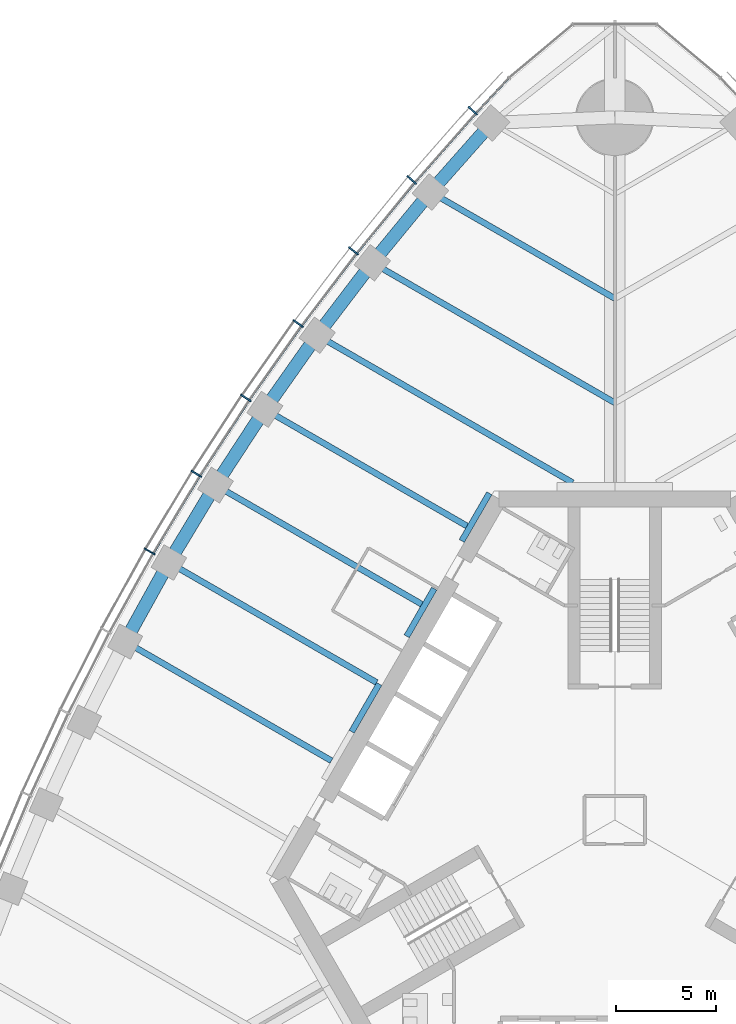
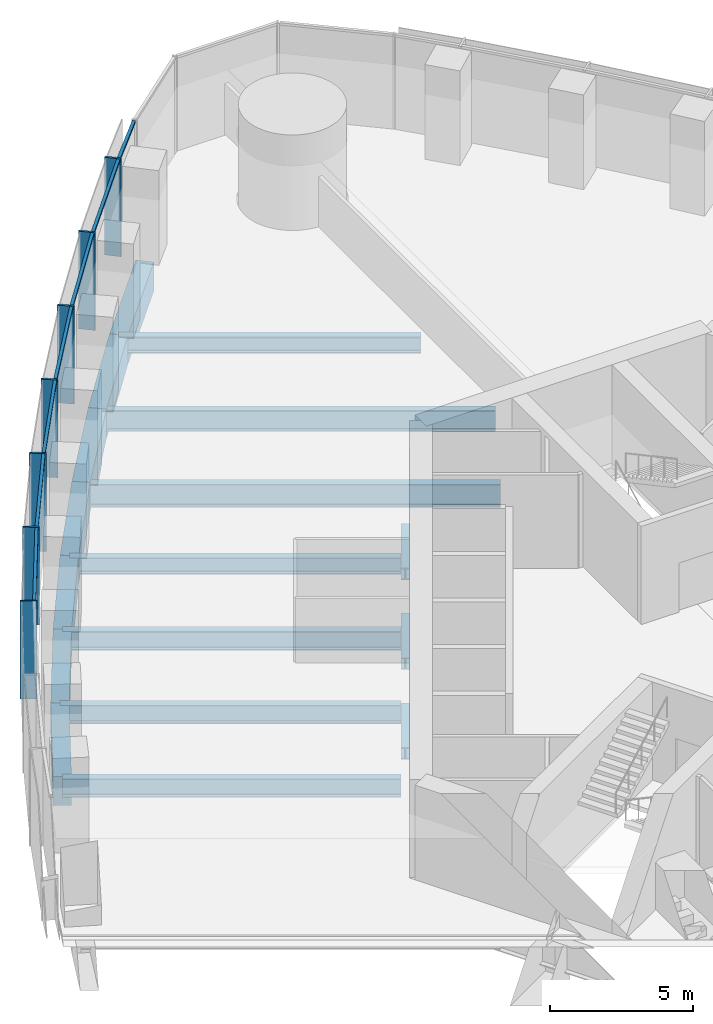
# One storey, part 4 of 19: 17 beams, 14 members, 1 element without a shape of its own.
"""IFC4 building model written with IfcOpenShell, lengths in metres."""

from ifc_helpers import new_model, si_unit, direction, frame, origin, origin_2d, place, context, subcontext, project, spatial, rectangle, i_section, extrude, material, material_profile, profile_set, type_object, element, aggregate, save


model = new_model("IFC4")

# Units and contexts
model_context = context("Model", 3, precision=1e-05, world=origin(), true_north=direction((0.0, 1.0)))
body_context = subcontext(model_context, "Body", "Model", "MODEL_VIEW")
ifc_project = project(units=[si_unit("LENGTHUNIT", "METRE"), si_unit("AREAUNIT", "SQUARE_METRE"), si_unit("VOLUMEUNIT", "CUBIC_METRE"), si_unit("PLANEANGLEUNIT", "RADIAN"), si_unit("MASSUNIT", "GRAM", prefix="KILO")], contexts=[model_context])

# Site, building, storey
site_placement = place(None, origin())
site = spatial("IfcSite", under=ifc_project, at=site_placement, CompositionType="ELEMENT")
building_placement = place(site_placement, origin())
building = spatial("IfcBuilding", under=site, at=building_placement, Name="Trefoil Bronze Tower", CompositionType="ELEMENT")
storey_placement = place(building_placement, frame((0.0, 0.0, 124.10009765625)))
storey = spatial("IfcBuildingStorey", under=building, at=storey_placement, Name="L28", CompositionType="ELEMENT", Elevation=124.10009765625)

# Curtain wall, members
ifc_material_1 = material(Name="Tinted solar-control glass", Category="glass")
curtain_wall_type = type_object("IfcCurtainWallType", Name="Bronze office curtain wall", PredefinedType="USERDEFINED", material=ifc_material_1)
curtain_wall_placement = place(storey_placement, origin())
curtain_wall = element("IfcCurtainWall", 1, at=curtain_wall_placement, inside=storey, type_object=curtain_wall_type, Name="CW-A L28 F3", ObjectType="CURTAIN WALL", PredefinedType="USERDEFINED")
ifc_material_2 = material(Name="Bronze-finish aluminium", Category="aluminium")
ifc_material_profile_1 = material_profile(ifc_material_2, rectangle(XDim=0.60009765625, YDim=0.080078125, at=origin_2d()), Name="CW-A mullion")
ifc_profile_set_1 = profile_set([ifc_material_profile_1], Name="Bronze-finish aluminium")
member_type_1 = type_object("IfcMemberType", Name="Bronze office curtain wall mullion", PredefinedType="MULLION", material=ifc_profile_set_1)
member_1_placement = place(storey_placement, frame((-7.070068359375, 35.332275390625, 0.0), z_axis=(0.0, 0.0, 1.0), x_axis=(0.740360700327, -0.672209813534, 0.0)))
member_1 = element("IfcMember", 2, at=member_1_placement, type_object=member_type_1, Name="CW-A L28 F3 mullion 2", PredefinedType="MULLION", context=body_context, shape_type="SweptSolid", body=[
    extrude(rectangle(XDim=0.60009765625, YDim=0.080078125, at=origin_2d()), origin(), (0.0, 0.0, 1.0), 4.179931640625),
])
member_2_placement = place(storey_placement, frame((-10.11474609375, 31.8828125, 0.0), z_axis=(0.0, 0.0, 1.0), x_axis=(0.761721651066, -0.647904411389, 0.0)))
member_2 = element("IfcMember", 3, at=member_2_placement, type_object=member_type_1, Name="CW-A L28 F3 mullion 3", PredefinedType="MULLION", context=body_context, shape_type="SweptSolid", body=[
    extrude(rectangle(XDim=0.60009765625, YDim=0.080078125, at=origin_2d()), origin(), (0.0, 0.0, 1.0), 4.179931640625),
])
member_3_placement = place(storey_placement, frame((-13.01220703125, 28.34716796875, 0.0), z_axis=(0.0, 0.0, 1.0), x_axis=(0.78487913905, -0.619648882098, 0.0)))
member_3 = element("IfcMember", 4, at=member_3_placement, type_object=member_type_1, Name="CW-A L28 F3 mullion 4", PredefinedType="MULLION", context=body_context, shape_type="SweptSolid", body=[
    extrude(rectangle(XDim=0.60009765625, YDim=0.080078125, at=origin_2d()), origin(), (0.0, 0.0, 1.0), 4.179931640625),
])
member_4_placement = place(storey_placement, frame((-15.764404296875, 24.7275390625, 0.0), z_axis=(0.0, 0.0, 1.0), x_axis=(0.806874522901, -0.590722865897, 0.0)))
member_4 = element("IfcMember", 5, at=member_4_placement, type_object=member_type_1, Name="CW-A L28 F3 mullion 5", PredefinedType="MULLION", context=body_context, shape_type="SweptSolid", body=[
    extrude(rectangle(XDim=0.60009765625, YDim=0.080078125, at=origin_2d()), origin(), (0.0, 0.0, 1.0), 4.179931640625),
])
member_5_placement = place(storey_placement, frame((-18.373046875, 21.025146484375, 0.0), z_axis=(0.0, 0.0, 1.0), x_axis=(0.827723925749, -0.561135547566, 0.0)))
member_5 = element("IfcMember", 6, at=member_5_placement, type_object=member_type_1, Name="CW-A L28 F3 mullion 6", PredefinedType="MULLION", context=body_context, shape_type="SweptSolid", body=[
    extrude(rectangle(XDim=0.60009765625, YDim=0.080078125, at=origin_2d()), origin(), (0.0, 0.0, 1.0), 4.179931640625),
])
member_6_placement = place(storey_placement, frame((-20.840087890625, 17.24072265625, 0.0), z_axis=(0.0, 0.0, 1.0), x_axis=(0.84743864936, -0.530893337283, 0.0)))
member_6 = element("IfcMember", 7, at=member_6_placement, type_object=member_type_1, Name="CW-A L28 F3 mullion 7", PredefinedType="MULLION", context=body_context, shape_type="SweptSolid", body=[
    extrude(rectangle(XDim=0.60009765625, YDim=0.080078125, at=origin_2d()), origin(), (0.0, 0.0, 1.0), 4.179931640625),
])
member_7_placement = place(storey_placement, frame((-23.166015625, 13.374755859375, 0.0), z_axis=(0.0, 0.0, 1.0), x_axis=(0.866025403784, -0.5, 0.0)))
member_7 = element("IfcMember", 8, at=member_7_placement, type_object=member_type_1, Name="CW-A L28 F3 mullion 8", PredefinedType="MULLION", context=body_context, shape_type="SweptSolid", body=[
    extrude(rectangle(XDim=0.60009765625, YDim=0.080078125, at=origin_2d()), origin(), (0.0, 0.0, 1.0), 4.179931640625),
])
ifc_material_3 = material(Name="Bronze-finish aluminium", Category="aluminium")
ifc_material_profile_2 = material_profile(ifc_material_3, rectangle(XDim=0.1201171875, YDim=0.10009765625, at=origin_2d()), Name="CW-A transom")
ifc_profile_set_2 = profile_set([ifc_material_profile_2], Name="Bronze-finish aluminium")
member_type_2 = type_object("IfcMemberType", Name="Bronze office curtain wall transom", PredefinedType="USERDEFINED", material=ifc_profile_set_2)
member_8_placement = place(storey_placement, frame((-5.296630859375, 36.9384765625, 4.1298828125), z_axis=(-0.682489214428, -0.730895664366, 0.0), x_axis=(0.730895664366, -0.682489214428, 0.0)))
member_8 = element("IfcMember", 9, at=member_8_placement, type_object=member_type_2, Name="CW-A L28 F3 transom 1", ObjectType="TRANSOM", PredefinedType="USERDEFINED", context=body_context, shape_type="SweptSolid", body=[
    extrude(rectangle(XDim=0.1201171875, YDim=0.10009765625, at=origin_2d()), origin(), (0.0, 0.0, 1.0), 2.340087890625),
])
member_9_placement = place(storey_placement, frame((-6.949462890625, 35.166748046875, 4.1298828125), z_axis=(-0.66173618877, -0.749736764786, 0.0), x_axis=(0.749736764786, -0.66173618877, 0.0)))
member_9 = element("IfcMember", 10, at=member_9_placement, type_object=member_type_2, Name="CW-A L28 F3 transom 2", ObjectType="TRANSOM", PredefinedType="USERDEFINED", context=body_context, shape_type="SweptSolid", body=[
    extrude(rectangle(XDim=0.1201171875, YDim=0.10009765625, at=origin_2d()), origin(), (0.0, 0.0, 1.0), 4.510986328125),
])
member_10_placement = place(storey_placement, frame((-9.98876953125, 31.720947265625, 4.1298828125), z_axis=(-0.633848872297, -0.773456919995, 0.0), x_axis=(0.773456919995, -0.633848872297, 0.0)))
member_10 = element("IfcMember", 11, at=member_10_placement, type_object=member_type_2, Name="CW-A L28 F3 transom 3", ObjectType="TRANSOM", PredefinedType="USERDEFINED", context=body_context, shape_type="SweptSolid", body=[
    extrude(rectangle(XDim=0.1201171875, YDim=0.10009765625, at=origin_2d()), origin(), (0.0, 0.0, 1.0), 4.480224609375),
])
member_11_placement = place(storey_placement, frame((-12.880615234375, 28.18994140625, 4.1298828125), z_axis=(-0.605229114572, -0.796051329296, 0.0), x_axis=(0.796051329296, -0.605229114572, 0.0)))
member_11 = element("IfcMember", 12, at=member_11_placement, type_object=member_type_2, Name="CW-A L28 F3 transom 4", ObjectType="TRANSOM", PredefinedType="USERDEFINED", context=body_context, shape_type="SweptSolid", body=[
    extrude(rectangle(XDim=0.1201171875, YDim=0.10009765625, at=origin_2d()), origin(), (0.0, 0.0, 1.0), 4.456298828125),
])
member_12_placement = place(storey_placement, frame((-15.626953125, 24.5751953125, 4.1298828125), z_axis=(-0.576017858824, -0.817437108478, 0.0), x_axis=(0.817437108478, -0.576017858824, 0.0)))
member_12 = element("IfcMember", 13, at=member_12_placement, type_object=member_type_2, Name="CW-A L28 F3 transom 5", ObjectType="TRANSOM", PredefinedType="USERDEFINED", context=body_context, shape_type="SweptSolid", body=[
    extrude(rectangle(XDim=0.1201171875, YDim=0.10009765625, at=origin_2d()), origin(), (0.0, 0.0, 1.0), 4.4384765625),
])
member_13_placement = place(storey_placement, frame((-18.23046875, 20.877685546875, 4.1298828125), z_axis=(-0.546079336226, -0.837733465099, 0.0), x_axis=(0.837733465099, -0.546079336226, 0.0)))
member_13 = element("IfcMember", 14, at=member_13_placement, type_object=member_type_2, Name="CW-A L28 F3 transom 6", ObjectType="TRANSOM", PredefinedType="USERDEFINED", context=body_context, shape_type="SweptSolid", body=[
    extrude(rectangle(XDim=0.1201171875, YDim=0.10009765625, at=origin_2d()), origin(), (0.0, 0.0, 1.0), 4.426513671875),
])
member_14_placement = place(storey_placement, frame((-20.692138671875, 17.0986328125, 4.1298828125), z_axis=(-0.515526794174, -0.856873458854, 0.0), x_axis=(0.856873458854, -0.515526794174, 0.0)))
member_14 = element("IfcMember", 15, at=member_14_placement, type_object=member_type_2, Name="CW-A L28 F3 transom 7", ObjectType="TRANSOM", PredefinedType="USERDEFINED", context=body_context, shape_type="SweptSolid", body=[
    extrude(rectangle(XDim=0.1201171875, YDim=0.10009765625, at=origin_2d()), origin(), (0.0, 0.0, 1.0), 4.4208984375),
])
aggregate(curtain_wall, [member_1, member_2, member_3, member_4, member_5, member_6, member_7, member_8, member_9, member_10, member_11, member_12, member_13, member_14])

# Beams
ifc_material_4 = material(Name="Steel C355", Category="steel")
ifc_material_profile_3 = material_profile(ifc_material_4, i_section(OverallWidth=0.300048828125, OverallDepth=0.5, WebThickness=0.014404296875, FlangeThickness=0.028076171875, FilletRadius=0.027099609375, at=origin_2d()), Name="HEB 500")
ifc_profile_set_3 = profile_set([ifc_material_profile_3], Name="Steel C355")
beam_type_1 = type_object("IfcBeamType", Name="Core seat beam HEB 500", PredefinedType="BEAM", material=ifc_profile_set_3)
for number, where, z_axis, x_axis, name in (
    (16, (-6.249755859375, 16.27490234375, -0.4501953125), (-0.500035825175, -0.866004719122, 0.0), (0.866004719122, -0.500035825175, 0.0), "Core seat beam F3/-2 L28"),
    (17, (-8.9921875, 11.52490234375, -0.4501953125), (-0.500035825175, -0.866004719122, 0.0), (0.866004719122, -0.500035825175, 0.0), "Core seat beam F3/-1 L28"),
    (18, (-11.734619140625, 6.77490234375, -0.4501953125), (-0.500035825175, -0.866004719122, 0.0), (0.866004719122, -0.500035825175, 0.0), "Core seat beam F3/+0 L28"),
):
    element("IfcBeam", number, at=place(storey_placement, frame(where, z_axis=z_axis, x_axis=x_axis)), inside=storey, type_object=beam_type_1, Name=name, PredefinedType="BEAM", context=body_context, shape_type="SweptSolid", body=[
        extrude(i_section(OverallWidth=0.300048828125, OverallDepth=0.5, WebThickness=0.014404296875, FlangeThickness=0.028076171875, FilletRadius=0.027099609375, at=origin_2d()), origin(), (0.0, 0.0, 1.0), 2.742431640625),
    ])
ifc_material_5 = material(Name="Steel C355", Category="steel")
ifc_material_profile_4 = material_profile(ifc_material_5, i_section(OverallWidth=0.300048828125, OverallDepth=1.0, WebThickness=0.01904296875, FlangeThickness=0.035888671875, FilletRadius=0.030029296875, at=origin_2d()), Name="HEB 1000")
ifc_profile_set_4 = profile_set([ifc_material_profile_4], Name="Steel C355")
beam_type_2 = type_object("IfcBeamType", Name="Floor beam HEB 1000", PredefinedType="BEAM", material=ifc_profile_set_4)
beam_1_placement = place(storey_placement, frame((-14.825439453125, 24.14794921875, -0.7001953125), z_axis=(0.866027342682, -0.499996641717, 0.0), x_axis=(0.499996641717, 0.866027342682, 0.0)))
element("IfcBeam", 19, at=beam_1_placement, inside=storey, type_object=beam_type_2, Name="Floor beam F3/-3 L28", PredefinedType="BEAM", context=body_context, shape_type="SweptSolid", body=[
    extrude(i_section(OverallWidth=0.300048828125, OverallDepth=1.0, WebThickness=0.01904296875, FlangeThickness=0.035888671875, FilletRadius=0.030029296875, at=origin_2d()), origin(), (0.0, 0.0, 1.0), 14.69580078125),
])
ifc_material_6 = material(Name="Steel C355", Category="steel")
ifc_material_profile_5 = material_profile(ifc_material_6, i_section(OverallWidth=0.300048828125, OverallDepth=0.699951171875, WebThickness=0.01708984375, FlangeThickness=0.031982421875, FilletRadius=0.027099609375, at=origin_2d()), Name="HEB 700")
ifc_profile_set_5 = profile_set([ifc_material_profile_5], Name="Steel C355")
beam_type_3 = type_object("IfcBeamType", Name="Floor beam HEB 700", PredefinedType="BEAM", material=ifc_profile_set_5)
beam_2_placement = place(storey_placement, frame((-9.181884765625, 31.281982421875, -0.550048828125), z_axis=(0.866021079084, -0.500007490527, 0.0), x_axis=(0.500007490527, 0.866021079084, 0.0)))
element("IfcBeam", 20, at=beam_2_placement, inside=storey, type_object=beam_type_3, Name="Floor beam F3/-5 L28", PredefinedType="BEAM", context=body_context, shape_type="SweptSolid", body=[
    extrude(i_section(OverallWidth=0.300048828125, OverallDepth=0.699951171875, WebThickness=0.01708984375, FlangeThickness=0.031982421875, FilletRadius=0.027099609375, at=origin_2d()), origin(), (0.0, 0.0, 1.0), 10.602294921875),
])
beam_3_placement = place(storey_placement, frame((-17.43017578125, 20.45556640625, -0.550048828125), z_axis=(0.866030626868, -0.499990953245, 0.0), x_axis=(0.499990953245, 0.866030626868, 0.0)))
element("IfcBeam", 21, at=beam_3_placement, inside=storey, type_object=beam_type_3, Name="Floor beam F3/-2 L28", PredefinedType="BEAM", context=body_context, shape_type="SweptSolid", body=[
    extrude(i_section(OverallWidth=0.300048828125, OverallDepth=0.699951171875, WebThickness=0.01708984375, FlangeThickness=0.031982421875, FilletRadius=0.027099609375, at=origin_2d()), origin(), (0.0, 0.0, 1.0), 11.622802734375),
])
ifc_material_7 = material(Name="Steel C355", Category="steel")
ifc_material_profile_6 = material_profile(ifc_material_7, i_section(OverallWidth=0.300048828125, OverallDepth=0.800048828125, WebThickness=0.017578125, FlangeThickness=0.032958984375, FilletRadius=0.030029296875, at=origin_2d()), Name="HEB 800")
ifc_profile_set_6 = profile_set([ifc_material_profile_6], Name="Steel C355")
beam_type_4 = type_object("IfcBeamType", Name="Floor beam HEB 800", PredefinedType="BEAM", material=ifc_profile_set_6)
beam_4_placement = place(storey_placement, frame((-19.892578125, 16.68115234375, -0.60009765625), z_axis=(0.866024236736, -0.500002021381, 0.0), x_axis=(0.500002021381, 0.866024236736, 0.0)))
element("IfcBeam", 22, at=beam_4_placement, inside=storey, type_object=beam_type_4, Name="Floor beam F3/-1 L28", PredefinedType="BEAM", context=body_context, shape_type="SweptSolid", body=[
    extrude(i_section(OverallWidth=0.300048828125, OverallDepth=0.800048828125, WebThickness=0.017578125, FlangeThickness=0.032958984375, FilletRadius=0.030029296875, at=origin_2d()), origin(), (0.0, 0.0, 1.0), 11.8681640625),
])
beam_5_placement = place(storey_placement, frame((-22.21337890625, 12.824951171875, -0.60009765625), z_axis=(0.866028062731, -0.499995394541, 0.0), x_axis=(0.499995394541, 0.866028062731, 0.0)))
element("IfcBeam", 23, at=beam_5_placement, inside=storey, type_object=beam_type_4, Name="Floor beam F3/+0 L28", PredefinedType="BEAM", context=body_context, shape_type="SweptSolid", body=[
    extrude(i_section(OverallWidth=0.300048828125, OverallDepth=0.800048828125, WebThickness=0.017578125, FlangeThickness=0.032958984375, FilletRadius=0.030029296875, at=origin_2d()), origin(), (0.0, 0.0, 1.0), 11.94970703125),
])
beam_6_placement = place(storey_placement, frame((-24.392578125, 8.886962890625, -0.60009765625), z_axis=(0.866024236736, -0.500002021381, 0.0), x_axis=(0.500002021381, 0.866024236736, 0.0)))
element("IfcBeam", 24, at=beam_6_placement, inside=storey, type_object=beam_type_4, Name="Floor beam F3/+1 L28", PredefinedType="BEAM", context=body_context, shape_type="SweptSolid", body=[
    extrude(i_section(OverallWidth=0.300048828125, OverallDepth=0.800048828125, WebThickness=0.017578125, FlangeThickness=0.032958984375, FilletRadius=0.030029296875, at=origin_2d()), origin(), (0.0, 0.0, 1.0), 11.8681640625),
])
ifc_material_8 = material(Name="Steel C355", Category="steel")
ifc_material_profile_7 = material_profile(ifc_material_8, i_section(OverallWidth=0.300048828125, OverallDepth=0.89990234375, WebThickness=0.0185546875, FlangeThickness=0.034912109375, FilletRadius=0.030029296875, at=origin_2d()), Name="HEB 900")
ifc_profile_set_7 = profile_set([ifc_material_profile_7], Name="Steel C355")
beam_type_5 = type_object("IfcBeamType", Name="Floor beam HEB 900", PredefinedType="BEAM", material=ifc_profile_set_7)
beam_7_placement = place(storey_placement, frame((-12.07666015625, 27.757080078125, -0.650146484375), z_axis=(0.866026983775, -0.499997263366, 0.0), x_axis=(0.499997263366, 0.866026983775, 0.0)))
element("IfcBeam", 25, at=beam_7_placement, inside=storey, type_object=beam_type_5, Name="Floor beam F3/-4 L28", PredefinedType="BEAM", context=body_context, shape_type="SweptSolid", body=[
    extrude(i_section(OverallWidth=0.300048828125, OverallDepth=0.89990234375, WebThickness=0.0185546875, FlangeThickness=0.034912109375, FilletRadius=0.030029296875, at=origin_2d()), origin(), (0.0, 0.0, 1.0), 13.94482421875),
])
ifc_material_9 = material(Name="Concrete B80", Category="concrete")
ifc_material_profile_8 = material_profile(ifc_material_9, rectangle(XDim=0.64990234375, YDim=1.25, at=origin_2d()), Name="RC 650x1250")
ifc_profile_set_8 = profile_set([ifc_material_profile_8], Name="Concrete B80")
beam_type_6 = type_object("IfcBeamType", Name="Spandrel beam RC 650x1250", PredefinedType="SPANDREL", material=ifc_profile_set_8)
beam_8_placement = place(storey_placement, frame((-6.13916015625, 34.72119140625, -0.8251953125), z_axis=(-0.662616326239, -0.748959013699, 0.0), x_axis=(0.748959013699, -0.662616326239, 0.0)))
element("IfcBeam", 26, at=beam_8_placement, inside=storey, type_object=beam_type_6, Name="Spandrel F3.2 L28", PredefinedType="SPANDREL", context=body_context, shape_type="SweptSolid", body=[
    extrude(rectangle(XDim=0.64990234375, YDim=1.25, at=origin_2d()), origin(), (0.0, 0.0, 1.0), 4.592041015625),
])
beam_9_placement = place(storey_placement, frame((-9.181884765625, 31.281982421875, -0.8251953125), z_axis=(-0.634650386838, -0.772799383079, 0.0), x_axis=(0.772799383079, -0.634650386838, 0.0)))
element("IfcBeam", 27, at=beam_9_placement, inside=storey, type_object=beam_type_6, Name="Spandrel F3.3 L28", PredefinedType="SPANDREL", context=body_context, shape_type="SweptSolid", body=[
    extrude(rectangle(XDim=0.64990234375, YDim=1.25, at=origin_2d()), origin(), (0.0, 0.0, 1.0), 4.561279296875),
])
beam_10_placement = place(storey_placement, frame((-12.07666015625, 27.757080078125, -0.8251953125), z_axis=(-0.605898901788, -0.795541652468, 0.0), x_axis=(0.795541652468, -0.605898901788, 0.0)))
element("IfcBeam", 28, at=beam_10_placement, inside=storey, type_object=beam_type_6, Name="Spandrel F3.4 L28", PredefinedType="SPANDREL", context=body_context, shape_type="SweptSolid", body=[
    extrude(rectangle(XDim=0.64990234375, YDim=1.25, at=origin_2d()), origin(), (0.0, 0.0, 1.0), 4.53662109375),
])
beam_11_placement = place(storey_placement, frame((-14.825439453125, 24.14794921875, -0.8251953125), z_axis=(-0.576439228712, -0.81714002203, 0.0), x_axis=(0.81714002203, -0.576439228712, 0.0)))
element("IfcBeam", 29, at=beam_11_placement, inside=storey, type_object=beam_type_6, Name="Spandrel F3.5 L28", PredefinedType="SPANDREL", context=body_context, shape_type="SweptSolid", body=[
    extrude(rectangle(XDim=0.64990234375, YDim=1.25, at=origin_2d()), origin(), (0.0, 0.0, 1.0), 4.5185546875),
])
beam_12_placement = place(storey_placement, frame((-17.43017578125, 20.45556640625, -0.8251953125), z_axis=(-0.546396670296, -0.83752652417, 0.0), x_axis=(0.83752652417, -0.546396670296, 0.0)))
element("IfcBeam", 30, at=beam_12_placement, inside=storey, type_object=beam_type_6, Name="Spandrel F3.6 L28", PredefinedType="SPANDREL", context=body_context, shape_type="SweptSolid", body=[
    extrude(rectangle(XDim=0.64990234375, YDim=1.25, at=origin_2d()), origin(), (0.0, 0.0, 1.0), 4.506591796875),
])
for number, where, z_axis, x_axis, name in (
    (31, (-19.892578125, 16.68115234375, -0.8251953125), (-0.515651979972, -0.856798129988, 0.0), (0.856798129988, -0.515651979972, 0.0), "Spandrel F3.7 L28"),
    (32, (-22.21337890625, 12.824951171875, -0.8251953125), (-0.484186866546, -0.874964615436, 0.0), (0.874964615436, -0.484186866546, 0.0), "Spandrel F3.8 L28"),
):
    element("IfcBeam", number, at=place(storey_placement, frame(where, z_axis=z_axis, x_axis=x_axis)), inside=storey, type_object=beam_type_6, Name=name, PredefinedType="SPANDREL", context=body_context, shape_type="SweptSolid", body=[
        extrude(rectangle(XDim=0.64990234375, YDim=1.25, at=origin_2d()), origin(), (0.0, 0.0, 1.0), 4.500732421875),
    ])

save(model, "model.ifc")
